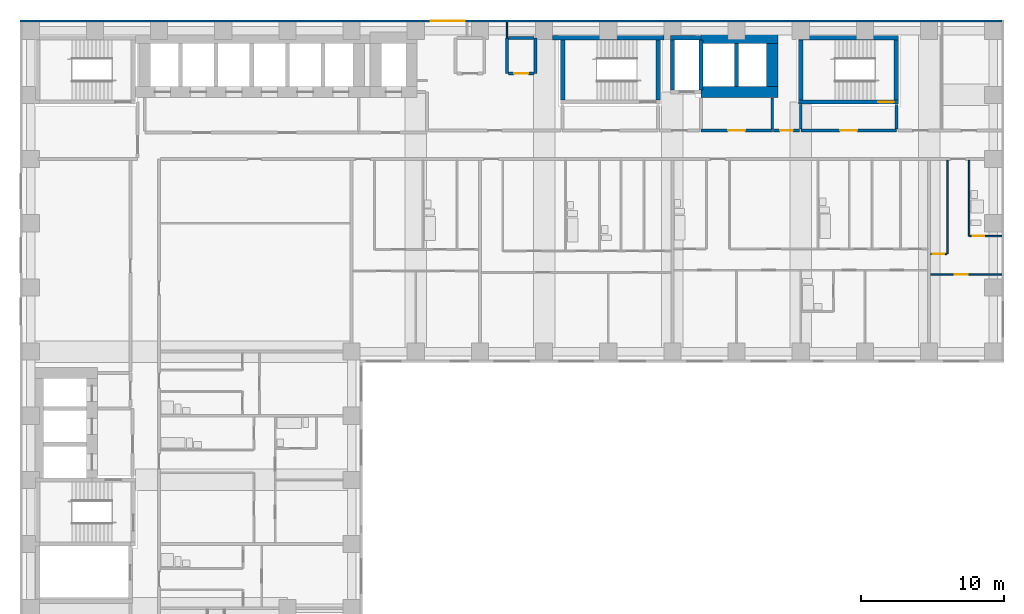
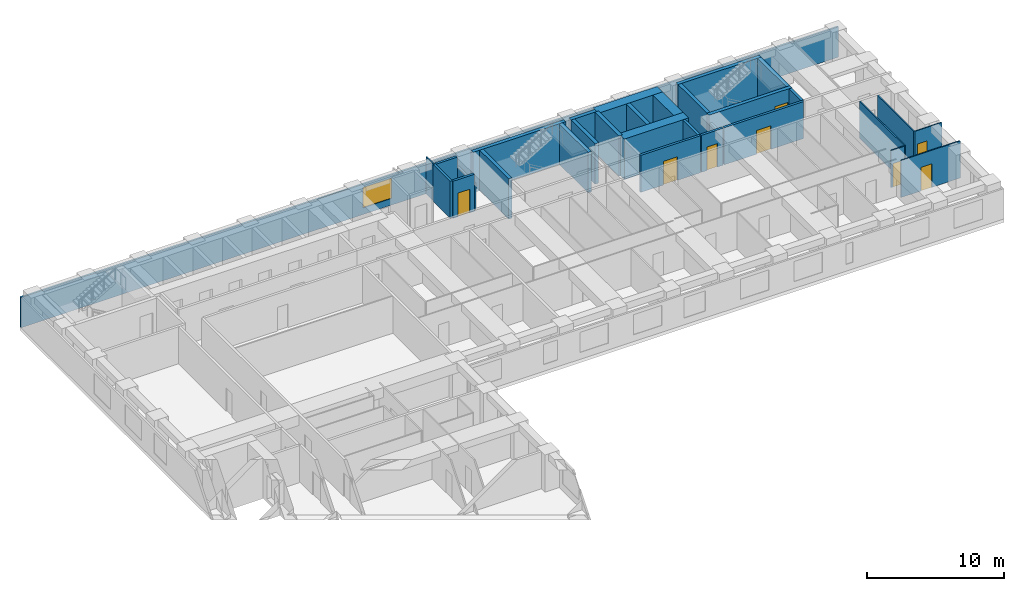
# One storey, part 8 of 11: 31 walls, 8 doors, 1 window, 9 openings.
"""IFC4 building model written with IfcOpenShell, lengths in metres."""

from ifc_helpers import new_model, si_unit, direction, frame, frame_2d, origin, place, context, subcontext, project, spatial, rectangle, extrude, material, layer, layer_set, type_object, element, fill, save


model = new_model("IFC4")

# Units and contexts
model_context = context("Model", 3, precision=1e-05, world=origin(), true_north=direction((0.0, 1.0)))
body_context = subcontext(model_context, "Body", "Model", "MODEL_VIEW")
ifc_project = project(units=[si_unit("LENGTHUNIT", "METRE"), si_unit("AREAUNIT", "SQUARE_METRE"), si_unit("VOLUMEUNIT", "CUBIC_METRE"), si_unit("PLANEANGLEUNIT", "RADIAN"), si_unit("MASSUNIT", "GRAM", prefix="KILO")], contexts=[model_context])

# Site, building, storey
site_placement = place(None, origin())
site = spatial("IfcSite", under=ifc_project, at=site_placement, CompositionType="ELEMENT")
building_placement = place(site_placement, origin())
building = spatial("IfcBuilding", under=site, at=building_placement, Name="Firuza Court", CompositionType="ELEMENT")
storey_placement = place(building_placement, frame((0.0, 0.0, 83.0)))
storey = spatial("IfcBuildingStorey", under=building, at=storey_placement, Name="L20", CompositionType="ELEMENT", Elevation=83.0)

# Walls
ifc_material_1 = material(Name="Moisture-resistant gypsum board partition")
ifc_layer_1 = layer(ifc_material_1, 0.10009765625)
ifc_layer_set_1 = layer_set([ifc_layer_1], Name="Moisture-resistant gypsum board partition")
wall_type_1 = type_object("IfcWallType", Name="Bathroom partition 100", PredefinedType="PLUMBINGWALL", material=ifc_layer_set_1)
wall_1_placement = place(storey_placement, frame((65.800048828125, 44.10009765625, 0.0), z_axis=(0.0, 0.0, 1.0), x_axis=(0.0, 1.0, 0.0)))
element("IfcWall", 1, at=wall_1_placement, inside=storey, type_object=wall_type_1, Name="Bathroom partition 100 L20", PredefinedType="PLUMBINGWALL", context=body_context, shape_type="SweptSolid", body=[
    extrude(rectangle(XDim=5.2998046875, YDim=0.10009765625, at=frame_2d((2.64990234375, 0.0))), origin(), (0.0, 0.0, 1.0), 3.300048828125),
])
ifc_material_2 = material(Name="Concrete C60/75", Category="concrete")
ifc_layer_2 = layer(ifc_material_2, 0.300048828125)
ifc_layer_set_2 = layer_set([ifc_layer_2], Name="Concrete C60/75")
wall_type_2 = type_object("IfcWallType", Name="Core wall 300 C60/75", PredefinedType="SHEAR", material=ifc_layer_set_2)
wall_2_placement = place(storey_placement, frame((36.60009765625, 58.0, -0.300048828125), z_axis=(0.0, 0.0, 1.0), x_axis=(1.0, 0.0, 0.0)))
element("IfcWall", 2, at=wall_2_placement, inside=storey, type_object=wall_type_2, Name="Core wall stair L20", PredefinedType="SHEAR", context=body_context, shape_type="SweptSolid", body=[
    extrude(rectangle(XDim=7.7998046875, YDim=0.300048828125, at=frame_2d((3.89990234375, 0.0))), origin(), (0.0, 0.0, 1.0), 3.60009765625),
])
for number, where, z_axis, x_axis, name in (
    (3, (37.300048828125, 53.64990234375, -0.300048828125), (0.0, 0.0, 1.0), (0.0, 1.0, 0.0), "Core wall stair L20"),
    (4, (44.0, 53.64990234375, -0.300048828125), (0.0, 0.0, 1.0), (0.0, 1.0, 0.0), "Core wall stair L20"),
):
    element("IfcWall", number, at=place(storey_placement, frame(where, z_axis=z_axis, x_axis=x_axis)), inside=storey, type_object=wall_type_2, Name=name, PredefinedType="SHEAR", context=body_context, shape_type="SweptSolid", body=[
        extrude(rectangle(XDim=4.2001953125, YDim=0.300048828125, at=frame_2d((2.10009765625, 0.0))), origin(), (0.0, 0.0, 1.0), 3.60009765625),
    ])
wall_3_placement = place(storey_placement, frame((44.85009765625, 58.0, -0.300048828125), z_axis=(0.0, 0.0, 1.0), x_axis=(1.0, 0.0, 0.0)))
element("IfcWall", 5, at=wall_3_placement, inside=storey, type_object=wall_type_2, Name="Core wall riser L20", PredefinedType="SHEAR", context=body_context, shape_type="SweptSolid", body=[
    extrude(rectangle(XDim=2.14990234375, YDim=0.300048828125, at=frame_2d((1.074951171875, 0.0))), origin(), (0.0, 0.0, 1.0), 3.60009765625),
])
for number, where, z_axis, x_axis, name in (
    (6, (45.0, 54.35009765625, -0.300048828125), (0.0, 0.0, 1.0), (0.0, 1.0, 0.0), "Core wall riser L20"),
    (7, (47.0, 54.35009765625, -0.300048828125), (0.0, 0.0, 1.0), (0.0, 1.0, 0.0), "Core wall lift shaft L20"),
):
    element("IfcWall", number, at=place(storey_placement, frame(where, z_axis=z_axis, x_axis=x_axis)), inside=storey, type_object=wall_type_2, Name=name, PredefinedType="SHEAR", context=body_context, shape_type="SweptSolid", body=[
        extrude(rectangle(XDim=3.5, YDim=0.300048828125, at=frame_2d((1.75, 0.0))), origin(), (0.0, 0.0, 1.0), 3.60009765625),
    ])
wall_4_placement = place(storey_placement, frame((49.5, 54.60009765625, -0.300048828125), z_axis=(0.0, 0.0, 1.0), x_axis=(0.0, 1.0, 0.0)))
element("IfcWall", 8, at=wall_4_placement, inside=storey, type_object=wall_type_2, Name="Core wall lift shaft L20", PredefinedType="SHEAR", context=body_context, shape_type="SweptSolid", body=[
    extrude(rectangle(XDim=3.0, YDim=0.300048828125, at=frame_2d((1.5, 0.0))), origin(), (0.0, 0.0, 1.0), 3.60009765625),
])

# Wall, opening, door
wall_5_placement = place(storey_placement, frame((53.85009765625, 53.5, -0.300048828125), z_axis=(0.0, 0.0, 1.0), x_axis=(1.0, 0.0, 0.0)))
wall_5 = element("IfcWall", 9, at=wall_5_placement, inside=storey, type_object=wall_type_2, Name="Core wall stair L20", PredefinedType="SHEAR", context=body_context, shape_type="SweptSolid", body=[
    extrude(rectangle(XDim=7.0, YDim=0.300048828125, at=frame_2d((3.5, 0.0))), origin(), (0.0, 0.0, 1.0), 3.60009765625),
])
opening_1_placement = place(wall_5_placement, frame((5.580078125, 0.0, 0.300048828125)))
opening_1 = element("IfcOpeningElement", 10, at=opening_1_placement, cuts=wall_5, Name="Opening D20017", PredefinedType="OPENING", context=body_context, shape_type="SweptSolid", body=[
    extrude(rectangle(XDim=1.10009765625, YDim=2.10009765625, at=frame_2d((0.550048828125, 1.050048828125))), frame((0.0, 0.162109375, 0.0), z_axis=(0.0, -1.0, 0.0), x_axis=(1.0, 0.0, 0.0)), (0.0, 0.0, 1.0), 0.323974609375),
])
ifc_material_3 = material(Name="Timber door leaf in hardwood frame", Category="wood")
door_type_1 = type_object("IfcDoorType", Name="Stair door 1100", OperationType="SINGLE_SWING_LEFT", PredefinedType="DOOR", material=ifc_material_3)
door_1_placement = place(opening_1_placement, origin())
door_1 = element("IfcDoor", 11, at=door_1_placement, inside=storey, type_object=door_type_1, Name="Stair door S4", OperationType="SINGLE_SWING_RIGHT", OverallHeight=2.10009765625, OverallWidth=1.10009765625, PredefinedType="DOOR", context=body_context, shape_type="SweptSolid", body=[
    extrude(rectangle(XDim=1.10009765625, YDim=2.10009765625, at=frame_2d((0.550048828125, 1.050048828125))), frame((0.0, 0.02490234375, 0.0), z_axis=(0.0, -1.0, 0.0), x_axis=(1.0, 0.0, 0.0)), (0.0, 0.0, 1.0), 0.050048828125),
])
fill(opening_1, door_1)

# Walls
wall_6_placement = place(storey_placement, frame((53.85009765625, 58.0, -0.300048828125), z_axis=(0.0, 0.0, 1.0), x_axis=(1.0, 0.0, 0.0)))
element("IfcWall", 12, at=wall_6_placement, inside=storey, type_object=wall_type_2, Name="Core wall stair L20", PredefinedType="SHEAR", context=body_context, shape_type="SweptSolid", body=[
    extrude(rectangle(XDim=7.0, YDim=0.300048828125, at=frame_2d((3.5, 0.0))), origin(), (0.0, 0.0, 1.0), 3.60009765625),
])
for number, where, z_axis, x_axis, name in (
    (13, (54.0, 53.64990234375, -0.300048828125), (0.0, 0.0, 1.0), (0.0, 1.0, 0.0), "Core wall stair L20"),
    (14, (60.699951171875, 53.64990234375, -0.300048828125), (0.0, 0.0, 1.0), (0.0, 1.0, 0.0), "Core wall stair L20"),
):
    element("IfcWall", number, at=place(storey_placement, frame(where, z_axis=z_axis, x_axis=x_axis)), inside=storey, type_object=wall_type_2, Name=name, PredefinedType="SHEAR", context=body_context, shape_type="SweptSolid", body=[
        extrude(rectangle(XDim=4.2001953125, YDim=0.300048828125, at=frame_2d((2.10009765625, 0.0))), origin(), (0.0, 0.0, 1.0), 3.60009765625),
    ])
ifc_layer_3 = layer(ifc_material_2, 0.800048828125)
ifc_layer_set_3 = layer_set([ifc_layer_3], Name="Concrete C60/75")
wall_type_3 = type_object("IfcWallType", Name="Core wall 800 C60/75", PredefinedType="SHEAR", material=ifc_layer_set_3)
for number, where, z_axis, x_axis, name in (
    (15, (47.0, 54.199951171875, -0.300048828125), (0.0, 0.0, 1.0), (1.0, 0.0, 0.0), "Core wall lift shaft L20"),
    (16, (47.0, 58.0, -0.300048828125), (0.0, 0.0, 1.0), (1.0, 0.0, 0.0), "Core wall lift shaft L20"),
):
    element("IfcWall", number, at=place(storey_placement, frame(where, z_axis=z_axis, x_axis=x_axis)), inside=storey, type_object=wall_type_3, Name=name, PredefinedType="SHEAR", context=body_context, shape_type="SweptSolid", body=[
        extrude(rectangle(XDim=5.39990234375, YDim=0.800048828125, at=frame_2d((2.699951171875, 0.0))), origin(), (0.0, 0.0, 1.0), 3.60009765625),
    ])
wall_7_placement = place(storey_placement, frame((52.0, 54.60009765625, -0.300048828125), z_axis=(0.0, 0.0, 1.0), x_axis=(0.0, 1.0, 0.0)))
element("IfcWall", 17, at=wall_7_placement, inside=storey, type_object=wall_type_3, Name="Core wall lift shaft L20", PredefinedType="SHEAR", context=body_context, shape_type="SweptSolid", body=[
    extrude(rectangle(XDim=3.0, YDim=0.800048828125, at=frame_2d((1.5, 0.0))), origin(), (0.0, 0.0, 1.0), 3.60009765625),
])

# Wall, opening, door
ifc_material_4 = material(Name="Blockwork, plastered both sides", Category="masonry")
ifc_layer_4 = layer(ifc_material_4, 0.199951171875)
ifc_layer_set_4 = layer_set([ifc_layer_4], Name="Blockwork, plastered both sides")
wall_type_4 = type_object("IfcWallType", Name="Corridor wall 200", PredefinedType="PARTITIONING", material=ifc_layer_set_4)
wall_8_placement = place(storey_placement, frame((52.10009765625, 51.5, 0.0), z_axis=(0.0, 0.0, 1.0), x_axis=(1.0, 0.0, 0.0)))
wall_8 = element("IfcWall", 18, at=wall_8_placement, inside=storey, type_object=wall_type_4, Name="Corridor wall 200 L20", PredefinedType="PARTITIONING", context=body_context, shape_type="SweptSolid", body=[
    extrude(rectangle(XDim=1.7998046875, YDim=0.199951171875, at=frame_2d((0.89990234375, 0.0))), origin(), (0.0, 0.0, 1.0), 3.300048828125),
])
opening_2_placement = place(wall_8_placement, frame((0.449951171875, 0.0, 0.0)))
opening_2 = element("IfcOpeningElement", 19, at=opening_2_placement, cuts=wall_8, Name="Opening D20075", PredefinedType="OPENING", context=body_context, shape_type="SweptSolid", body=[
    extrude(rectangle(XDim=0.89990234375, YDim=2.10009765625, at=frame_2d((0.449951171875, 1.050048828125))), frame((0.0, 0.11181640625, 0.0), z_axis=(0.0, -1.0, 0.0), x_axis=(1.0, 0.0, 0.0)), (0.0, 0.0, 1.0), 0.223876953125),
])
ifc_material_5 = material(Name="Timber door leaf in hardwood frame", Category="wood")
door_type_2 = type_object("IfcDoorType", Name="Room door 900 EI 30", OperationType="SINGLE_SWING_LEFT", PredefinedType="DOOR", material=ifc_material_5)
door_2_placement = place(opening_2_placement, origin())
door_2 = element("IfcDoor", 20, at=door_2_placement, inside=storey, type_object=door_type_2, Name="Staff pantry door", OperationType="SINGLE_SWING_LEFT", OverallHeight=2.10009765625, OverallWidth=0.89990234375, PredefinedType="DOOR", context=body_context, shape_type="SweptSolid", body=[
    extrude(rectangle(XDim=0.89990234375, YDim=2.10009765625, at=frame_2d((0.449951171875, 1.050048828125))), frame((0.0, 0.02490234375, 0.0), z_axis=(0.0, -1.0, 0.0), x_axis=(1.0, 0.0, 0.0)), (0.0, 0.0, 1.0), 0.050048828125),
])
fill(opening_2, door_2)

ifc_material_6 = material(Name="Timber stud partition, plasterboard both sides", Category="wood")
ifc_layer_5 = layer(ifc_material_6, 0.10009765625)
ifc_layer_set_5 = layer_set([ifc_layer_5], Name="Timber stud partition, plasterboard both sides")
wall_type_5 = type_object("IfcWallType", Name="Partition wall 100", PredefinedType="PARTITIONING", material=ifc_layer_set_5)
wall_9_placement = place(storey_placement, frame((63.10009765625, 41.39990234375, 0.0), z_axis=(0.0, 0.0, 1.0), x_axis=(1.0, 0.0, 0.0)))
wall_9 = element("IfcWall", 21, at=wall_9_placement, inside=storey, type_object=wall_type_5, Name="Partition wall 100 L20", PredefinedType="PARTITIONING", context=body_context, shape_type="SweptSolid", body=[
    extrude(rectangle(XDim=5.0, YDim=0.10009765625, at=frame_2d((2.5, 0.0))), origin(), (0.0, 0.0, 1.0), 3.300048828125),
])
opening_3_placement = place(wall_9_placement, frame((1.699951171875, 0.0, 0.0)))
opening_3 = element("IfcOpeningElement", 22, at=opening_3_placement, cuts=wall_9, Name="Opening D20043", PredefinedType="OPENING", context=body_context, shape_type="SweptSolid", body=[
    extrude(rectangle(XDim=0.89990234375, YDim=2.10009765625, at=frame_2d((0.449951171875, 1.050048828125))), frame((0.0, 0.06201171875, 0.0), z_axis=(0.0, -1.0, 0.0), x_axis=(1.0, 0.0, 0.0)), (0.0, 0.0, 1.0), 0.1240234375),
])
ifc_material_7 = material(Name="Timber door leaf in hardwood frame", Category="wood")
door_type_3 = type_object("IfcDoorType", Name="Room door 900", OperationType="SINGLE_SWING_LEFT", PredefinedType="DOOR", material=ifc_material_7)
door_3_placement = place(opening_3_placement, frame((0.89990234375, 0.0, 0.0), z_axis=(0.0, 0.0, 1.0), x_axis=(-1.0, 0.0, 0.0)))
door_3 = element("IfcDoor", 23, at=door_3_placement, inside=storey, type_object=door_type_3, Name="Studio room door", OperationType="SINGLE_SWING_RIGHT", OverallHeight=2.10009765625, OverallWidth=0.89990234375, PredefinedType="DOOR", context=body_context, shape_type="SweptSolid", body=[
    extrude(rectangle(XDim=0.89990234375, YDim=2.10009765625, at=frame_2d((0.449951171875, 1.050048828125))), frame((0.0, 0.02490234375, 0.0), z_axis=(0.0, -1.0, 0.0), x_axis=(1.0, 0.0, 0.0)), (0.0, 0.0, 1.0), 0.050048828125),
])
fill(opening_3, door_3)

wall_10_placement = place(storey_placement, frame((63.10009765625, 42.85009765625, 0.0), z_axis=(0.0, 0.0, 1.0), x_axis=(1.0, 0.0, 0.0)))
wall_10 = element("IfcWall", 24, at=wall_10_placement, inside=storey, type_object=wall_type_5, Name="Partition wall 100 L20", PredefinedType="PARTITIONING", context=body_context, shape_type="SweptSolid", body=[
    extrude(rectangle(XDim=1.14990234375, YDim=0.10009765625, at=frame_2d((0.574951171875, 0.0))), origin(), (0.0, 0.0, 1.0), 3.300048828125),
])
opening_4_placement = place(wall_10_placement, frame((0.14990234375, 0.0, 0.0)))
opening_4 = element("IfcOpeningElement", 25, at=opening_4_placement, cuts=wall_10, Name="Opening D20052", PredefinedType="OPENING", context=body_context, shape_type="SweptSolid", body=[
    extrude(rectangle(XDim=0.800048828125, YDim=2.10009765625, at=frame_2d((0.39990234375, 1.050048828125))), frame((0.0, 0.06201171875, 0.0), z_axis=(0.0, -1.0, 0.0), x_axis=(1.0, 0.0, 0.0)), (0.0, 0.0, 1.0), 0.1240234375),
])
ifc_material_8 = material(Name="Timber door leaf in hardwood frame", Category="wood")
door_type_4 = type_object("IfcDoorType", Name="Room door 800", OperationType="SINGLE_SWING_LEFT", PredefinedType="DOOR", material=ifc_material_8)
door_4_placement = place(opening_4_placement, origin())
door_4 = element("IfcDoor", 26, at=door_4_placement, inside=storey, type_object=door_type_4, Name="Kitchen door", OperationType="SINGLE_SWING_LEFT", OverallHeight=2.10009765625, OverallWidth=0.800048828125, PredefinedType="DOOR", context=body_context, shape_type="SweptSolid", body=[
    extrude(rectangle(XDim=0.800048828125, YDim=2.10009765625, at=frame_2d((0.39990234375, 1.050048828125))), frame((0.0, 0.02490234375, 0.0), z_axis=(0.0, -1.0, 0.0), x_axis=(1.0, 0.0, 0.0)), (0.0, 0.0, 1.0), 0.050048828125),
])
fill(opening_4, door_4)

# Wall
wall_11_placement = place(storey_placement, frame((64.300048828125, 42.85009765625, 0.0), z_axis=(0.0, 0.0, 1.0), x_axis=(0.0, 1.0, 0.0)))
element("IfcWall", 27, at=wall_11_placement, inside=storey, type_object=wall_type_5, Name="Partition wall 100 L20", PredefinedType="PARTITIONING", context=body_context, shape_type="SweptSolid", body=[
    extrude(rectangle(XDim=6.5498046875, YDim=0.10009765625, at=frame_2d((3.27490234375, 0.0))), origin(), (0.0, 0.0, 1.0), 3.300048828125),
])

# Wall, opening, door
wall_12_placement = place(storey_placement, frame((65.85009765625, 44.10009765625, 0.0), z_axis=(0.0, 0.0, 1.0), x_axis=(1.0, 0.0, 0.0)))
wall_12 = element("IfcWall", 28, at=wall_12_placement, inside=storey, type_object=wall_type_5, Name="Partition wall 100 L20", PredefinedType="PARTITIONING", context=body_context, shape_type="SweptSolid", body=[
    extrude(rectangle(XDim=2.25, YDim=0.10009765625, at=frame_2d((1.125, 0.0))), origin(), (0.0, 0.0, 1.0), 3.300048828125),
])
opening_5_placement = place(wall_12_placement, frame((0.199951171875, 0.0, 0.0)))
opening_5 = element("IfcOpeningElement", 29, at=opening_5_placement, cuts=wall_12, Name="Opening D20067", PredefinedType="OPENING", context=body_context, shape_type="SweptSolid", body=[
    extrude(rectangle(XDim=0.800048828125, YDim=2.10009765625, at=frame_2d((0.39990234375, 1.050048828125))), frame((0.0, 0.06201171875, 0.0), z_axis=(0.0, -1.0, 0.0), x_axis=(1.0, 0.0, 0.0)), (0.0, 0.0, 1.0), 0.1240234375),
])
ifc_material_9 = material(Name="Timber door leaf in hardwood frame", Category="wood")
door_type_5 = type_object("IfcDoorType", Name="Bathroom door 800", OperationType="SINGLE_SWING_LEFT", PredefinedType="DOOR", material=ifc_material_9)
door_5_placement = place(opening_5_placement, origin())
door_5 = element("IfcDoor", 30, at=door_5_placement, inside=storey, type_object=door_type_5, Name="Bathroom door", OperationType="SINGLE_SWING_LEFT", OverallHeight=2.10009765625, OverallWidth=0.800048828125, PredefinedType="DOOR", context=body_context, shape_type="SweptSolid", body=[
    extrude(rectangle(XDim=0.800048828125, YDim=2.10009765625, at=frame_2d((0.39990234375, 1.050048828125))), frame((0.0, 0.02490234375, 0.0), z_axis=(0.0, -1.0, 0.0), x_axis=(1.0, 0.0, 0.0)), (0.0, 0.0, 1.0), 0.050048828125),
])
fill(opening_5, door_5)

# Walls
wall_13_placement = place(storey_placement, frame((33.39990234375, 58.0, 0.0), z_axis=(0.0, 0.0, 1.0), x_axis=(0.0, 1.0, 0.0)))
element("IfcWall", 31, at=wall_13_placement, inside=storey, type_object=wall_type_5, Name="Partition wall 100 L20", PredefinedType="PARTITIONING", context=body_context, shape_type="SweptSolid", body=[
    extrude(rectangle(XDim=1.10009765625, YDim=0.10009765625, at=frame_2d((0.550048828125, 0.0))), origin(), (0.0, 0.0, 1.0), 3.300048828125),
])
ifc_material_10 = material(Name="Blockwork, fire-rated", Category="masonry")
ifc_layer_6 = layer(ifc_material_10, 0.199951171875)
ifc_layer_set_6 = layer_set([ifc_layer_6], Name="Blockwork, fire-rated")
wall_type_6 = type_object("IfcWallType", Name="Plant room wall 200", PredefinedType="PARTITIONING", material=ifc_layer_set_6)
wall_14_placement = place(storey_placement, frame((33.39990234375, 55.5, 0.0), z_axis=(0.0, 0.0, 1.0), x_axis=(0.0, 1.0, 0.0)))
element("IfcWall", 32, at=wall_14_placement, inside=storey, type_object=wall_type_6, Name="Plant room wall 200 L20", PredefinedType="PARTITIONING", context=body_context, shape_type="SweptSolid", body=[
    extrude(rectangle(XDim=2.5, YDim=0.199951171875, at=frame_2d((1.25, 0.0))), origin(), (0.0, 0.0, 1.0), 3.300048828125),
])

# Wall, opening, door
wall_15_placement = place(storey_placement, frame((33.5, 55.5, 0.0), z_axis=(0.0, 0.0, 1.0), x_axis=(1.0, 0.0, 0.0)))
wall_15 = element("IfcWall", 33, at=wall_15_placement, inside=storey, type_object=wall_type_6, Name="Plant room wall 200 L20", PredefinedType="PARTITIONING", context=body_context, shape_type="SweptSolid", body=[
    extrude(rectangle(XDim=1.800048828125, YDim=0.199951171875, at=frame_2d((0.89990234375, 0.0))), origin(), (0.0, 0.0, 1.0), 3.300048828125),
])
opening_6_placement = place(wall_15_placement, frame((0.39990234375, 0.0, 0.0)))
opening_6 = element("IfcOpeningElement", 34, at=opening_6_placement, cuts=wall_15, Name="Opening D20079", PredefinedType="OPENING", context=body_context, shape_type="SweptSolid", body=[
    extrude(rectangle(XDim=1.0, YDim=2.10009765625, at=frame_2d((0.5, 1.050048828125))), frame((0.0, 0.11181640625, 0.0), z_axis=(0.0, -1.0, 0.0), x_axis=(1.0, 0.0, 0.0)), (0.0, 0.0, 1.0), 0.223876953125),
])
ifc_material_11 = material(Name="Timber door leaf in hardwood frame", Category="wood")
door_type_6 = type_object("IfcDoorType", Name="Riser door 1000", OperationType="SINGLE_SWING_LEFT", PredefinedType="DOOR", material=ifc_material_11)
door_6_placement = place(opening_6_placement, origin())
door_6 = element("IfcDoor", 35, at=door_6_placement, inside=storey, type_object=door_type_6, Name="Duct riser door", OperationType="SINGLE_SWING_LEFT", OverallHeight=2.10009765625, OverallWidth=1.0, PredefinedType="DOOR", context=body_context, shape_type="SweptSolid", body=[
    extrude(rectangle(XDim=1.0, YDim=2.10009765625, at=frame_2d((0.5, 1.050048828125))), frame((0.0, 0.02490234375, 0.0), z_axis=(0.0, -1.0, 0.0), x_axis=(1.0, 0.0, 0.0)), (0.0, 0.0, 1.0), 0.050048828125),
])
fill(opening_6, door_6)

# Walls
wall_16_placement = place(storey_placement, frame((35.39990234375, 55.5, 0.0), z_axis=(0.0, 0.0, 1.0), x_axis=(0.0, 1.0, 0.0)))
element("IfcWall", 36, at=wall_16_placement, inside=storey, type_object=wall_type_6, Name="Plant room wall 200 L20", PredefinedType="PARTITIONING", context=body_context, shape_type="SweptSolid", body=[
    extrude(rectangle(XDim=2.5, YDim=0.199951171875, at=frame_2d((1.25, 0.0))), origin(), (0.0, 0.0, 1.0), 2.39990234375),
])
wall_17_placement = place(storey_placement, frame((33.5, 58.0, 0.0), z_axis=(0.0, 0.0, 1.0), x_axis=(1.0, 0.0, 0.0)))
element("IfcWall", 37, at=wall_17_placement, inside=storey, type_object=wall_type_6, Name="Plant room wall 200 L20", PredefinedType="PARTITIONING", context=body_context, shape_type="SweptSolid", body=[
    extrude(rectangle(XDim=1.800048828125, YDim=0.199951171875, at=frame_2d((0.89990234375, 0.0))), origin(), (0.0, 0.0, 1.0), 3.300048828125),
])

# Wall, opening, window
ifc_material_12 = material(Name="Ceramic tile", Category="ceramic")
ifc_layer_7 = layer(ifc_material_12, 0.02001953125)
ifc_material_13 = material(Name="Mineral wool insulation", Category="insulation")
ifc_layer_8 = layer(ifc_material_13, 0.050048828125)
ifc_material_14 = material(Name="Concrete C40/50 precast", Category="concrete")
ifc_layer_9 = layer(ifc_material_14, 0.080078125)
ifc_layer_set_7 = layer_set([ifc_layer_7, ifc_layer_8, ifc_layer_9], Name="Concrete C40/50 precast")
wall_type_7 = type_object("IfcWallType", Name="Precast cladding wall with turquoise TILE PANEL face 150", PredefinedType="STANDARD", material=ifc_layer_set_7)
wall_18_placement = place(storey_placement, frame((68.10009765625, 59.175048828125, 0.0), z_axis=(0.0, 0.0, 1.0), x_axis=(-1.0, 0.0, 0.0)))
wall_18 = element("IfcWall", 38, at=wall_18_placement, inside=storey, type_object=wall_type_7, Name="Facade wall L20 N", PredefinedType="STANDARD", context=body_context, shape_type="SweptSolid", body=[
    extrude(rectangle(XDim=68.85009765625, YDim=0.14990234375, at=frame_2d((34.425048828125, 0.0))), origin(), (0.0, 0.0, 1.0), 2.699951171875),
])
opening_7_placement = place(wall_18_placement, frame((37.64990234375, 0.0, 0.60009765625)))
opening_7 = element("IfcOpeningElement", 39, at=opening_7_placement, cuts=wall_18, Name="Opening W1", PredefinedType="OPENING", context=body_context, shape_type="SweptSolid", body=[
    extrude(rectangle(XDim=2.39990234375, YDim=1.800048828125, at=frame_2d((1.199951171875, 0.89990234375))), frame((0.0, 0.0869140625, 0.0), z_axis=(0.0, -1.0, 0.0), x_axis=(1.0, 0.0, 0.0)), (0.0, 0.0, 1.0), 0.173828125),
])
ifc_material_15 = material(Name="Aluminium frame, triple clear glazing", Category="aluminium")
window_type = type_object("IfcWindowType", Name="Window W1 2400 x 1800", PartitioningType="SINGLE_PANEL", PredefinedType="WINDOW", material=ifc_material_15)
window_placement = place(opening_7_placement, origin())
window = element("IfcWindow", 40, at=window_placement, inside=storey, type_object=window_type, Name="Window L20", OverallHeight=1.800048828125, OverallWidth=2.39990234375, PartitioningType="SINGLE_PANEL", PredefinedType="WINDOW", context=body_context, shape_type="SweptSolid", body=[
    extrude(rectangle(XDim=2.39990234375, YDim=1.800048828125, at=frame_2d((1.199951171875, 0.89990234375))), frame((0.0, 0.030029296875, 0.0), z_axis=(0.0, -1.0, 0.0), x_axis=(1.0, 0.0, 0.0)), (0.0, 0.0, 1.0), 0.06005859375),
])
fill(opening_7, window)

# Wall, opening, door
ifc_layer_10 = layer(ifc_material_10, 0.199951171875)
ifc_layer_set_8 = layer_set([ifc_layer_10], Name="Blockwork, fire-rated")
wall_type_8 = type_object("IfcWallType", Name="Shaft wall 200", PredefinedType="PARTITIONING", material=ifc_layer_set_8)
wall_19_placement = place(storey_placement, frame((47.0, 51.5, 0.0), z_axis=(0.0, 0.0, 1.0), x_axis=(1.0, 0.0, 0.0)))
wall_19 = element("IfcWall", 41, at=wall_19_placement, inside=storey, type_object=wall_type_8, Name="Shaft wall 200 L20", PredefinedType="PARTITIONING", context=body_context, shape_type="SweptSolid", body=[
    extrude(rectangle(XDim=5.0, YDim=0.199951171875, at=frame_2d((2.5, 0.0))), origin(), (0.0, 0.0, 1.0), 3.300048828125),
])
opening_8_placement = place(wall_19_placement, frame((1.89990234375, 0.0, 0.0)))
opening_8 = element("IfcOpeningElement", 42, at=opening_8_placement, cuts=wall_19, Name="Opening D20009", PredefinedType="OPENING", context=body_context, shape_type="SweptSolid", body=[
    extrude(rectangle(XDim=1.199951171875, YDim=2.10009765625, at=frame_2d((0.60009765625, 1.050048828125))), frame((0.0, 0.11181640625, 0.0), z_axis=(0.0, -1.0, 0.0), x_axis=(1.0, 0.0, 0.0)), (0.0, 0.0, 1.0), 0.223876953125),
])
ifc_material_16 = material(Name="Timber door leaf in hardwood frame", Category="wood")
door_type_7 = type_object("IfcDoorType", Name="Lobby door 1200", OperationType="SINGLE_SWING_LEFT", PredefinedType="DOOR", material=ifc_material_16)
door_7_placement = place(opening_8_placement, origin())
door_7 = element("IfcDoor", 43, at=door_7_placement, inside=storey, type_object=door_type_7, Name="Lobby door", OperationType="SINGLE_SWING_LEFT", OverallHeight=2.10009765625, OverallWidth=1.199951171875, PredefinedType="DOOR", context=body_context, shape_type="SweptSolid", body=[
    extrude(rectangle(XDim=1.199951171875, YDim=2.10009765625, at=frame_2d((0.60009765625, 1.050048828125))), frame((0.0, 0.02490234375, 0.0), z_axis=(0.0, -1.0, 0.0), x_axis=(1.0, 0.0, 0.0)), (0.0, 0.0, 1.0), 0.050048828125),
])
fill(opening_8, door_7)

# Wall
wall_20_placement = place(storey_placement, frame((52.0, 51.60009765625, 0.0), z_axis=(0.0, 0.0, 1.0), x_axis=(0.0, 1.0, 0.0)))
element("IfcWall", 44, at=wall_20_placement, inside=storey, type_object=wall_type_8, Name="Shaft wall 200 L20", PredefinedType="PARTITIONING", context=body_context, shape_type="SweptSolid", body=[
    extrude(rectangle(XDim=2.179931640625, YDim=0.199951171875, at=frame_2d((1.08984375, 0.0))), origin(), (0.0, 0.0, 1.0), 3.300048828125),
])

# Wall, opening, door
wall_21_placement = place(storey_placement, frame((54.0, 51.5, 0.0), z_axis=(0.0, 0.0, 1.0), x_axis=(1.0, 0.0, 0.0)))
wall_21 = element("IfcWall", 45, at=wall_21_placement, inside=storey, type_object=wall_type_8, Name="Shaft wall 200 L20", PredefinedType="PARTITIONING", context=body_context, shape_type="SweptSolid", body=[
    extrude(rectangle(XDim=6.699951171875, YDim=0.199951171875, at=frame_2d((3.35009765625, 0.0))), origin(), (0.0, 0.0, 1.0), 3.300048828125),
])
opening_9_placement = place(wall_21_placement, frame((2.75, 0.0, 0.0)))
opening_9 = element("IfcOpeningElement", 46, at=opening_9_placement, cuts=wall_21, Name="Opening D20007", PredefinedType="OPENING", context=body_context, shape_type="SweptSolid", body=[
    extrude(rectangle(XDim=1.199951171875, YDim=2.10009765625, at=frame_2d((0.60009765625, 1.050048828125))), frame((0.0, 0.11181640625, 0.0), z_axis=(0.0, -1.0, 0.0), x_axis=(1.0, 0.0, 0.0)), (0.0, 0.0, 1.0), 0.223876953125),
])
door_8_placement = place(opening_9_placement, origin())
door_8 = element("IfcDoor", 47, at=door_8_placement, inside=storey, type_object=door_type_7, Name="Lobby door", OperationType="SINGLE_SWING_LEFT", OverallHeight=2.10009765625, OverallWidth=1.199951171875, PredefinedType="DOOR", context=body_context, shape_type="SweptSolid", body=[
    extrude(rectangle(XDim=1.199951171875, YDim=2.10009765625, at=frame_2d((0.60009765625, 1.050048828125))), frame((0.0, 0.02490234375, 0.0), z_axis=(0.0, -1.0, 0.0), x_axis=(1.0, 0.0, 0.0)), (0.0, 0.0, 1.0), 0.050048828125),
])
fill(opening_9, door_8)

# Walls
wall_22_placement = place(storey_placement, frame((60.699951171875, 51.60009765625, 0.0), z_axis=(0.0, 0.0, 1.0), x_axis=(0.0, 1.0, 0.0)))
element("IfcWall", 48, at=wall_22_placement, inside=storey, type_object=wall_type_8, Name="Shaft wall 200 L20", PredefinedType="PARTITIONING", context=body_context, shape_type="SweptSolid", body=[
    extrude(rectangle(XDim=1.72998046875, YDim=0.199951171875, at=frame_2d((0.864990234375, 0.0))), origin(), (0.0, 0.0, 1.0), 3.300048828125),
])
wall_23_placement = place(storey_placement, frame((54.0, 51.60009765625, 0.0), z_axis=(0.0, 0.0, 1.0), x_axis=(0.0, 1.0, 0.0)))
element("IfcWall", 49, at=wall_23_placement, inside=storey, type_object=wall_type_8, Name="Shaft wall 200 L20", PredefinedType="PARTITIONING", context=body_context, shape_type="SweptSolid", body=[
    extrude(rectangle(XDim=1.72998046875, YDim=0.199951171875, at=frame_2d((0.864990234375, 0.0))), origin(), (0.0, 0.0, 1.0), 2.60009765625),
])

save(model, "model.ifc")
